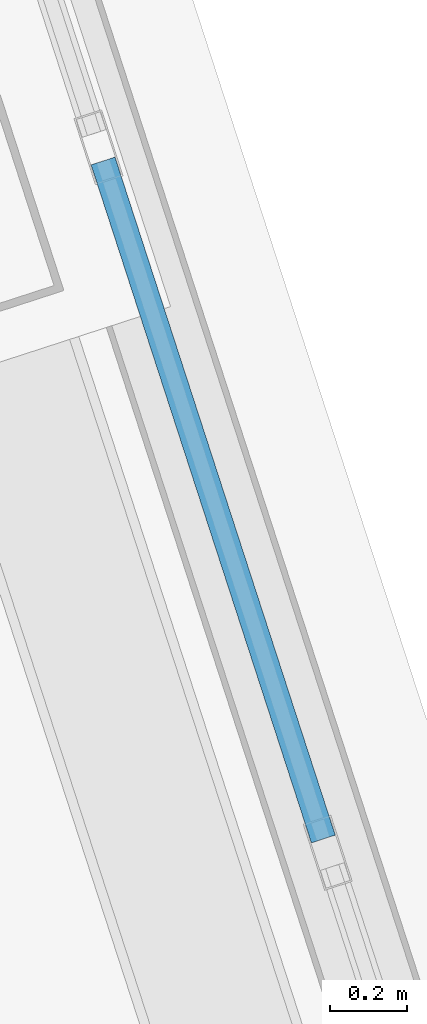
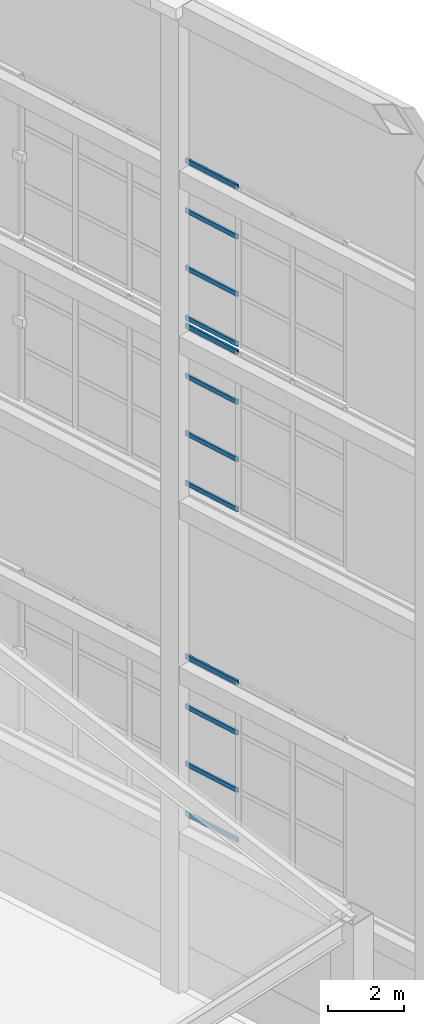
# One storey, part 33 of 56: 12 members, 3 elements without a shape of their own.
"""IFC4 building model written with IfcOpenShell, lengths in metres."""

from ifc_helpers import new_model, si_unit, direction, frame, origin, origin_2d, place, context, subcontext, project, spatial, hollow_rectangle, extrude, material, layer, layer_set, material_profile, profile_set, type_object, element, aggregate, save


model = new_model("IFC4")

# Units and contexts
model_context = context("Model", 3, precision=1e-05, world=origin(), true_north=direction((0.0, 1.0)))
body_context = subcontext(model_context, "Body", "Model", "MODEL_VIEW")
ifc_project = project(units=[si_unit("LENGTHUNIT", "METRE"), si_unit("AREAUNIT", "SQUARE_METRE"), si_unit("VOLUMEUNIT", "CUBIC_METRE"), si_unit("PLANEANGLEUNIT", "RADIAN"), si_unit("MASSUNIT", "GRAM", prefix="KILO")], contexts=[model_context])

# Site, building, storey
site_placement = place(None, origin())
site = spatial("IfcSite", under=ifc_project, at=site_placement, CompositionType="ELEMENT")
building_placement = place(site_placement, origin())
building = spatial("IfcBuilding", under=site, at=building_placement, Name="Qiaolan Cultural Towers", CompositionType="ELEMENT")
storey_placement = place(building_placement, frame((0.0, 0.0, 250.39990234375)))
storey = spatial("IfcBuildingStorey", under=building, at=storey_placement, Name="L68", CompositionType="ELEMENT", Elevation=250.39990234375)

# Curtain wall, members
ifc_material_1 = material(Name="Unitized Anodized Aluminium Curtain Wall System", Category="aluminium")
ifc_layer = layer(ifc_material_1, 0.199951171875)
ifc_layer_set = layer_set([ifc_layer], Name="Unitized Anodized Aluminium Curtain Wall System")
curtain_wall_type = type_object("IfcCurtainWallType", Name="CWS-06", PredefinedType="NOTDEFINED", material=ifc_layer_set)
curtain_wall_1_placement = place(storey_placement, origin())
curtain_wall_1 = element("IfcCurtainWall", 1, at=curtain_wall_1_placement, inside=storey, type_object=curtain_wall_type, Name="T2 Crown Tier 2 Fritted Screen Curtain Wall 3", PredefinedType="NOTDEFINED")
ifc_material_2 = material(Name="Extruded Aluminium 6063-T6", Category="aluminium")
ifc_material_profile = material_profile(ifc_material_2, hollow_rectangle(XDim=0.06494140625, YDim=0.14990234375, WallThickness=0.00390625, at=origin_2d()), Name="CWT-150x65x4")
ifc_profile_set = profile_set([ifc_material_profile], Name="Extruded Aluminium 6063-T6")
member_type = type_object("IfcMemberType", Name="CWS-06-TRN", PredefinedType="USERDEFINED", material=ifc_profile_set)
member_1_placement = place(storey_placement, frame((103.75390625, 36.489501953125, 5.4326171875), z_axis=(-0.30899331187, 0.951064210882, 0.0), x_axis=(-0.951064210882, -0.30899331187, 0.0)))
member_1 = element("IfcMember", 2, at=member_1_placement, type_object=member_type, Name="CW-6 transom 3.1", ObjectType="TRANSOM", PredefinedType="USERDEFINED", context=body_context, shape_type="SweptSolid", body=[
    extrude(hollow_rectangle(XDim=0.06494140625, YDim=0.14990234375, WallThickness=0.00390625, at=origin_2d()), origin(), (0.0, 0.0, 1.0), 1.844970703125),
])
member_2_placement = place(storey_placement, frame((103.75390625, 36.489501953125, 7.030029296875), z_axis=(-0.30899331187, 0.951064210882, 0.0), x_axis=(-0.951064210882, -0.30899331187, 0.0)))
member_2 = element("IfcMember", 3, at=member_2_placement, type_object=member_type, Name="CW-6 transom 3.2", ObjectType="TRANSOM", PredefinedType="USERDEFINED", context=body_context, shape_type="SweptSolid", body=[
    extrude(hollow_rectangle(XDim=0.06494140625, YDim=0.14990234375, WallThickness=0.00390625, at=origin_2d()), origin(), (0.0, 0.0, 1.0), 1.844970703125),
])
member_3_placement = place(storey_placement, frame((103.75390625, 36.489501953125, 8.8701171875), z_axis=(-0.30899331187, 0.951064210882, 0.0), x_axis=(-0.951064210882, -0.30899331187, 0.0)))
member_3 = element("IfcMember", 4, at=member_3_placement, type_object=member_type, Name="CW-6 transom 3.3", ObjectType="TRANSOM", PredefinedType="USERDEFINED", context=body_context, shape_type="SweptSolid", body=[
    extrude(hollow_rectangle(XDim=0.06494140625, YDim=0.14990234375, WallThickness=0.00390625, at=origin_2d()), origin(), (0.0, 0.0, 1.0), 1.844970703125),
])
member_4_placement = place(storey_placement, frame((103.75390625, 36.489501953125, 10.467529296875), z_axis=(-0.30899331187, 0.951064210882, 0.0), x_axis=(-0.951064210882, -0.30899331187, 0.0)))
member_4 = element("IfcMember", 5, at=member_4_placement, type_object=member_type, Name="CW-6 transom 3.4", ObjectType="TRANSOM", PredefinedType="USERDEFINED", context=body_context, shape_type="SweptSolid", body=[
    extrude(hollow_rectangle(XDim=0.06494140625, YDim=0.14990234375, WallThickness=0.00390625, at=origin_2d()), origin(), (0.0, 0.0, 1.0), 1.844970703125),
])
aggregate(curtain_wall_1, [member_1, member_2, member_3, member_4])

curtain_wall_2_placement = place(storey_placement, origin())
curtain_wall_2 = element("IfcCurtainWall", 6, at=curtain_wall_2_placement, inside=storey, type_object=curtain_wall_type, Name="T2 Crown Tier 4 Fritted Screen Curtain Wall 3", PredefinedType="NOTDEFINED")
member_5_placement = place(storey_placement, frame((103.75390625, 36.489501953125, 16.03271484375), z_axis=(-0.30899331187, 0.951064210882, 0.0), x_axis=(-0.951064210882, -0.30899331187, 0.0)))
member_5 = element("IfcMember", 7, at=member_5_placement, type_object=member_type, Name="CW-6 transom 3.1", ObjectType="TRANSOM", PredefinedType="USERDEFINED", context=body_context, shape_type="SweptSolid", body=[
    extrude(hollow_rectangle(XDim=0.06494140625, YDim=0.14990234375, WallThickness=0.00390625, at=origin_2d()), origin(), (0.0, 0.0, 1.0), 1.844970703125),
])
member_6_placement = place(storey_placement, frame((103.75390625, 36.489501953125, 17.630126953125), z_axis=(-0.30899331187, 0.951064210882, 0.0), x_axis=(-0.951064210882, -0.30899331187, 0.0)))
member_6 = element("IfcMember", 8, at=member_6_placement, type_object=member_type, Name="CW-6 transom 3.2", ObjectType="TRANSOM", PredefinedType="USERDEFINED", context=body_context, shape_type="SweptSolid", body=[
    extrude(hollow_rectangle(XDim=0.06494140625, YDim=0.14990234375, WallThickness=0.00390625, at=origin_2d()), origin(), (0.0, 0.0, 1.0), 1.844970703125),
])
member_7_placement = place(storey_placement, frame((103.75390625, 36.489501953125, 19.47021484375), z_axis=(-0.30899331187, 0.951064210882, 0.0), x_axis=(-0.951064210882, -0.30899331187, 0.0)))
member_7 = element("IfcMember", 9, at=member_7_placement, type_object=member_type, Name="CW-6 transom 3.3", ObjectType="TRANSOM", PredefinedType="USERDEFINED", context=body_context, shape_type="SweptSolid", body=[
    extrude(hollow_rectangle(XDim=0.06494140625, YDim=0.14990234375, WallThickness=0.00390625, at=origin_2d()), origin(), (0.0, 0.0, 1.0), 1.844970703125),
])
member_8_placement = place(storey_placement, frame((103.75390625, 36.489501953125, 21.067626953125), z_axis=(-0.30899331187, 0.951064210882, 0.0), x_axis=(-0.951064210882, -0.30899331187, 0.0)))
member_8 = element("IfcMember", 10, at=member_8_placement, type_object=member_type, Name="CW-6 transom 3.4", ObjectType="TRANSOM", PredefinedType="USERDEFINED", context=body_context, shape_type="SweptSolid", body=[
    extrude(hollow_rectangle(XDim=0.06494140625, YDim=0.14990234375, WallThickness=0.00390625, at=origin_2d()), origin(), (0.0, 0.0, 1.0), 1.844970703125),
])
aggregate(curtain_wall_2, [member_5, member_6, member_7, member_8])

curtain_wall_3_placement = place(storey_placement, origin())
curtain_wall_3 = element("IfcCurtainWall", 11, at=curtain_wall_3_placement, inside=storey, type_object=curtain_wall_type, Name="T2 Crown Tier 5 Fritted Screen Curtain Wall 3", PredefinedType="NOTDEFINED")
member_9_placement = place(storey_placement, frame((103.75390625, 36.489501953125, 21.33251953125), z_axis=(-0.30899331187, 0.951064210882, 0.0), x_axis=(-0.951064210882, -0.30899331187, 0.0)))
member_9 = element("IfcMember", 12, at=member_9_placement, type_object=member_type, Name="CW-6 transom 3.1", ObjectType="TRANSOM", PredefinedType="USERDEFINED", context=body_context, shape_type="SweptSolid", body=[
    extrude(hollow_rectangle(XDim=0.06494140625, YDim=0.14990234375, WallThickness=0.00390625, at=origin_2d()), origin(), (0.0, 0.0, 1.0), 1.844970703125),
])
member_10_placement = place(storey_placement, frame((103.75390625, 36.489501953125, 22.93017578125), z_axis=(-0.30899331187, 0.951064210882, 0.0), x_axis=(-0.951064210882, -0.30899331187, 0.0)))
member_10 = element("IfcMember", 13, at=member_10_placement, type_object=member_type, Name="CW-6 transom 3.2", ObjectType="TRANSOM", PredefinedType="USERDEFINED", context=body_context, shape_type="SweptSolid", body=[
    extrude(hollow_rectangle(XDim=0.06494140625, YDim=0.14990234375, WallThickness=0.00390625, at=origin_2d()), origin(), (0.0, 0.0, 1.0), 1.844970703125),
])
member_11_placement = place(storey_placement, frame((103.75390625, 36.489501953125, 24.77001953125), z_axis=(-0.30899331187, 0.951064210882, 0.0), x_axis=(-0.951064210882, -0.30899331187, 0.0)))
member_11 = element("IfcMember", 14, at=member_11_placement, type_object=member_type, Name="CW-6 transom 3.3", ObjectType="TRANSOM", PredefinedType="USERDEFINED", context=body_context, shape_type="SweptSolid", body=[
    extrude(hollow_rectangle(XDim=0.06494140625, YDim=0.14990234375, WallThickness=0.00390625, at=origin_2d()), origin(), (0.0, 0.0, 1.0), 1.844970703125),
])
member_12_placement = place(storey_placement, frame((103.75390625, 36.489501953125, 26.36767578125), z_axis=(-0.30899331187, 0.951064210882, 0.0), x_axis=(-0.951064210882, -0.30899331187, 0.0)))
member_12 = element("IfcMember", 15, at=member_12_placement, type_object=member_type, Name="CW-6 transom 3.4", ObjectType="TRANSOM", PredefinedType="USERDEFINED", context=body_context, shape_type="SweptSolid", body=[
    extrude(hollow_rectangle(XDim=0.06494140625, YDim=0.14990234375, WallThickness=0.00390625, at=origin_2d()), origin(), (0.0, 0.0, 1.0), 1.844970703125),
])
aggregate(curtain_wall_3, [member_9, member_10, member_11, member_12])

save(model, "model.ifc")
